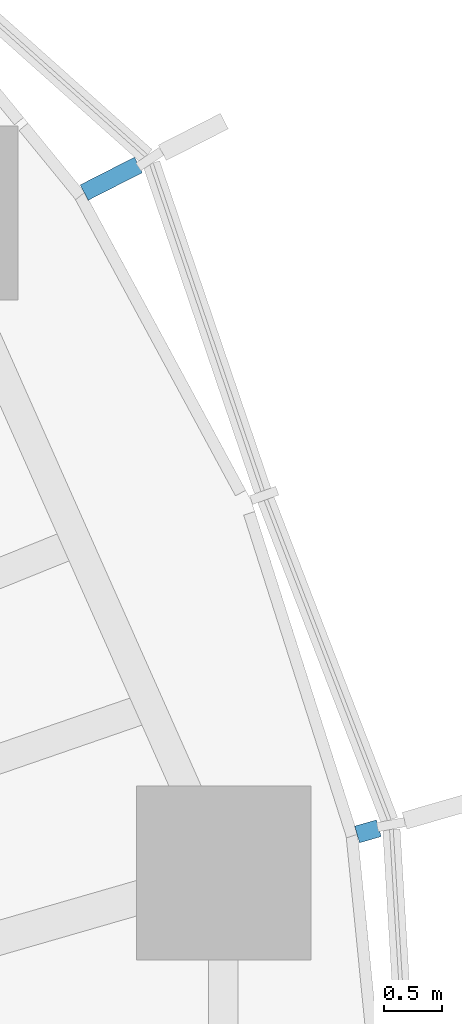
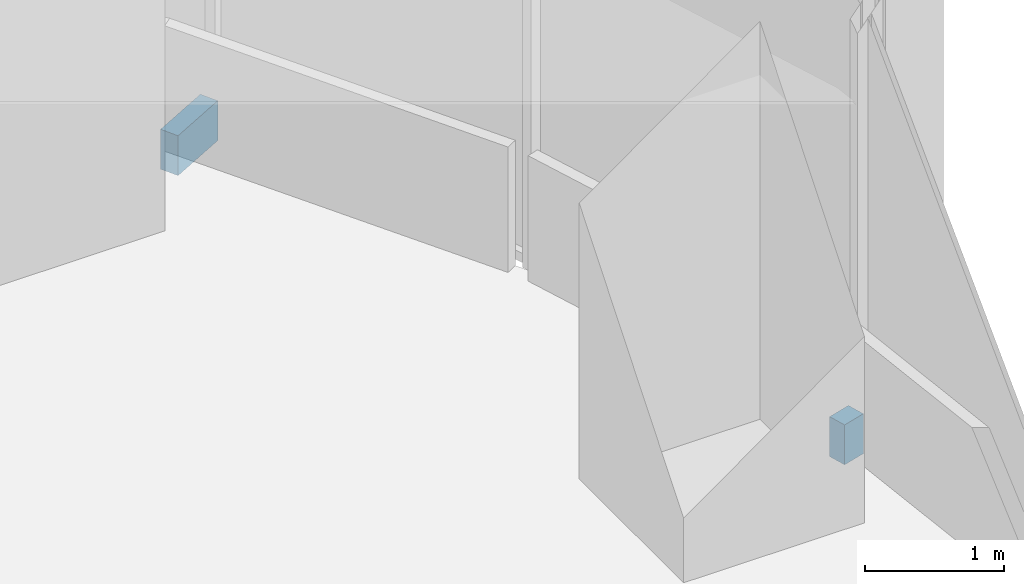
# One storey, part 16 of 18: 2 discrete accessories.
"""IFC4 building model written with IfcOpenShell, lengths in metres."""

from ifc_helpers import new_model, si_unit, direction, frame, origin, origin_2d, place, context, subcontext, project, spatial, rectangle, extrude, material, type_object, element, save


model = new_model("IFC4")

# Units and contexts
model_context = context("Model", 3, precision=1e-05, world=origin(), true_north=direction((0.0, 1.0)))
body_context = subcontext(model_context, "Body", "Model", "MODEL_VIEW")
ifc_project = project(units=[si_unit("LENGTHUNIT", "METRE"), si_unit("AREAUNIT", "SQUARE_METRE"), si_unit("VOLUMEUNIT", "CUBIC_METRE"), si_unit("PLANEANGLEUNIT", "RADIAN"), si_unit("MASSUNIT", "GRAM", prefix="KILO")], contexts=[model_context])

# Site, building, storey
site_placement = place(None, origin())
site = spatial("IfcSite", under=ifc_project, at=site_placement, CompositionType="ELEMENT")
building_placement = place(site_placement, origin())
building = spatial("IfcBuilding", under=site, at=building_placement, Name="Ghaith Harvest Tower", CompositionType="ELEMENT")
storey_placement = place(building_placement, frame((0.0, 0.0, 134.39990234375)))
storey = spatial("IfcBuildingStorey", under=building, at=storey_placement, Name="L28", CompositionType="ELEMENT", Elevation=134.39990234375)

# Discrete accessories
ifc_material_1 = material(Name="Stainless steel grade 1.4401", Category="steel")
discrete_accessory_type_1 = type_object("IfcDiscreteAccessoryType", Name="CURTAIN WALL BRACKET 195", PredefinedType="BRACKET", material=ifc_material_1)
discrete_accessory_1_placement = place(storey_placement, frame((30.528076171875, 8.8232421875, -0.25), z_axis=(0.0, 0.0, 1.0), x_axis=(0.960680349985, 0.277656739792, 0.0)))
element("IfcDiscreteAccessory", 1, at=discrete_accessory_1_placement, inside=storey, type_object=discrete_accessory_type_1, Name="CW-L bracket 1 bay 02 L28", PredefinedType="BRACKET", context=body_context, shape_type="SweptSolid", body=[
    extrude(rectangle(XDim=0.195068359375, YDim=0.14990234375, at=origin_2d()), origin(), (0.0, 0.0, 1.0), 0.35009765625),
])
ifc_material_2 = material(Name="Stainless steel grade 1.4401", Category="steel")
discrete_accessory_type_2 = type_object("IfcDiscreteAccessoryType", Name="CURTAIN WALL BRACKET 525", PredefinedType="BRACKET", material=ifc_material_2)
discrete_accessory_2_placement = place(storey_placement, frame((28.318115234375, 14.442626953125, -0.25), z_axis=(0.0, 0.0, 1.0), x_axis=(0.890830752257, 0.454335306611, 0.0)))
element("IfcDiscreteAccessory", 2, at=discrete_accessory_2_placement, inside=storey, type_object=discrete_accessory_type_2, Name="CW-L bracket 3 bay 02 L28", PredefinedType="BRACKET", context=body_context, shape_type="SweptSolid", body=[
    extrude(rectangle(XDim=0.52490234375, YDim=0.14990234375, at=origin_2d()), origin(), (0.0, 0.0, 1.0), 0.35009765625),
])

save(model, "model.ifc")
